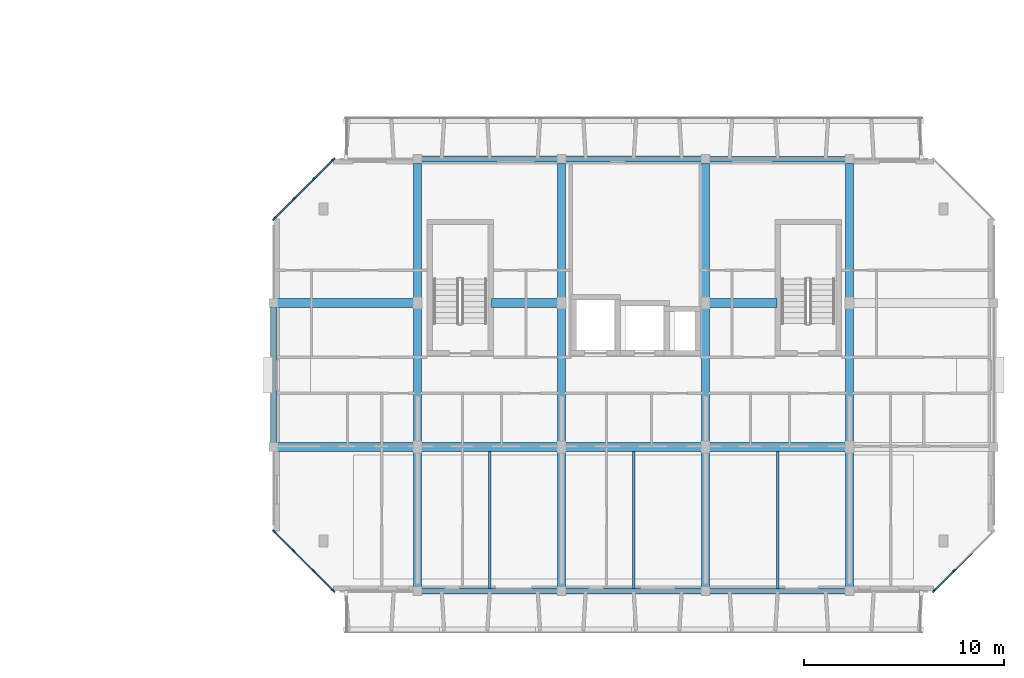
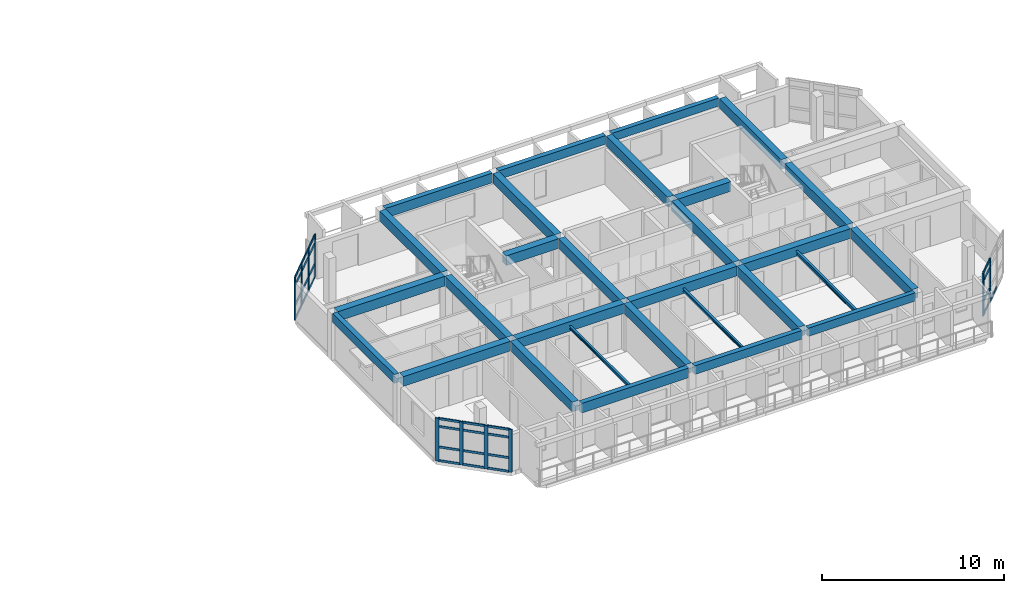
# One storey, part 10 of 43: 39 members, 29 beams, 3 elements without a shape of their own.
"""IFC4 building model written with IfcOpenShell, lengths in metres."""

from ifc_helpers import new_model, si_unit, direction, frame, origin, origin_2d, place, context, subcontext, project, spatial, rectangle, i_section, extrude, material, layer, layer_set, material_profile, profile_set, type_object, element, aggregate, save


model = new_model("IFC4")

# Units and contexts
model_context = context("Model", 3, precision=1e-05, world=origin(), true_north=direction((0.0, 1.0)))
body_context = subcontext(model_context, "Body", "Model", "MODEL_VIEW")
ifc_project = project(units=[si_unit("LENGTHUNIT", "METRE"), si_unit("AREAUNIT", "SQUARE_METRE"), si_unit("VOLUMEUNIT", "CUBIC_METRE"), si_unit("PLANEANGLEUNIT", "RADIAN"), si_unit("MASSUNIT", "GRAM", prefix="KILO")], contexts=[model_context])

# Site, building, storey
site_placement = place(None, origin())
site = spatial("IfcSite", under=ifc_project, at=site_placement, CompositionType="ELEMENT")
building_placement = place(site_placement, origin())
building = spatial("IfcBuilding", under=site, at=building_placement, Name="Ochrevale Crest", CompositionType="ELEMENT")
storey_placement = place(building_placement, frame((0.0, 0.0, 30.75)))
storey = spatial("IfcBuildingStorey", under=building, at=storey_placement, Name="L09", CompositionType="ELEMENT", Elevation=30.75)

# Beams
ifc_material_1 = material(Name="Precast concrete C50/60", Category="concrete")
ifc_material_profile_1 = material_profile(ifc_material_1, rectangle(XDim=0.39990234375, YDim=0.64990234375, at=origin_2d()), Name="PC 400x650")
ifc_profile_set_1 = profile_set([ifc_material_profile_1], Name="Precast concrete C50/60")
beam_type_1 = type_object("IfcBeamType", Name="BM-PC400x650", PredefinedType="BEAM", material=ifc_profile_set_1)
for number, where, z_axis, x_axis, name in (
    (1, (136.800048828125, 14.60498046875, 2.824951171875), (0.0, 1.0, 0.0), (-1.0, 0.0, 0.0), "Block C L09 N-S beam X=136.8"),
    (2, (136.800048828125, 21.804931640625, 2.824951171875), (0.0, 1.0, 0.0), (-1.0, 0.0, 0.0), "Block C L09 N-S beam X=136.8"),
    (3, (136.800048828125, 29.0048828125, 2.824951171875), (0.0, 1.0, 0.0), (-1.0, 0.0, 0.0), "Block C L09 N-S beam X=136.8"),
    (4, (144.0, 14.60498046875, 2.824951171875), (0.0, 1.0, 0.0), (-1.0, 0.0, 0.0), "Block C L09 N-S beam X=144.0"),
    (5, (144.0, 21.804931640625, 2.824951171875), (0.0, 1.0, 0.0), (-1.0, 0.0, 0.0), "Block C L09 N-S beam X=144.0"),
    (6, (144.0, 29.0048828125, 2.824951171875), (0.0, 1.0, 0.0), (-1.0, 0.0, 0.0), "Block C L09 N-S beam X=144.0"),
    (7, (151.199951171875, 14.60498046875, 2.824951171875), (0.0, 1.0, 0.0), (-1.0, 0.0, 0.0), "Block C L09 N-S beam X=151.2"),
    (8, (151.199951171875, 21.804931640625, 2.824951171875), (0.0, 1.0, 0.0), (-1.0, 0.0, 0.0), "Block C L09 N-S beam X=151.2"),
    (9, (151.199951171875, 29.0048828125, 2.824951171875), (0.0, 1.0, 0.0), (-1.0, 0.0, 0.0), "Block C L09 N-S beam X=151.2"),
    (10, (158.39990234375, 14.60498046875, 2.824951171875), (0.0, 1.0, 0.0), (-1.0, 0.0, 0.0), "Block C L09 N-S beam X=158.4"),
    (11, (158.39990234375, 21.804931640625, 2.824951171875), (0.0, 1.0, 0.0), (-1.0, 0.0, 0.0), "Block C L09 N-S beam X=158.4"),
    (12, (158.39990234375, 29.0048828125, 2.824951171875), (0.0, 1.0, 0.0), (-1.0, 0.0, 0.0), "Block C L09 N-S beam X=158.4"),
):
    element("IfcBeam", number, at=place(storey_placement, frame(where, z_axis=z_axis, x_axis=x_axis)), inside=storey, type_object=beam_type_1, Name=name, PredefinedType="BEAM", context=body_context, shape_type="SweptSolid", body=[
        extrude(rectangle(XDim=0.39990234375, YDim=0.64990234375, at=origin_2d()), origin(), (0.0, 0.0, 1.0), 6.7900390625),
    ])
ifc_material_2 = material(Name="Concrete C50/60", Category="concrete")
ifc_material_profile_2 = material_profile(ifc_material_2, rectangle(XDim=0.449951171875, YDim=0.64990234375, at=origin_2d()), Name="RC 450x650")
ifc_profile_set_2 = profile_set([ifc_material_profile_2], Name="Concrete C50/60")
beam_type_2 = type_object("IfcBeamType", Name="BM-PG450x650", PredefinedType="USERDEFINED", material=ifc_profile_set_2)
for number, where, z_axis, x_axis, name in (
    (13, (129.800048828125, 21.60009765625, 2.824951171875), (1.0, 0.0, 0.0), (0.0, 1.0, 0.0), "Block C L09 E-W beam Y=21.6"),
    (14, (137.0, 21.60009765625, 2.824951171875), (1.0, 0.0, 0.0), (0.0, 1.0, 0.0), "Block C L09 E-W beam Y=21.6"),
    (15, (144.199951171875, 21.60009765625, 2.824951171875), (1.0, 0.0, 0.0), (0.0, 1.0, 0.0), "Block C L09 E-W beam Y=21.6"),
    (16, (151.39990234375, 21.60009765625, 2.824951171875), (1.0, 0.0, 0.0), (0.0, 1.0, 0.0), "Block C L09 E-W beam Y=21.6"),
    (17, (129.800048828125, 28.800048828125, 2.824951171875), (1.0, 0.0, 0.0), (0.0, 1.0, 0.0), "Block C L09 E-W beam Y=28.8"),
):
    element("IfcBeam", number, at=place(storey_placement, frame(where, z_axis=z_axis, x_axis=x_axis)), inside=storey, type_object=beam_type_2, Name=name, ObjectType="GIRDER", PredefinedType="USERDEFINED", context=body_context, shape_type="SweptSolid", body=[
        extrude(rectangle(XDim=0.449951171875, YDim=0.64990234375, at=origin_2d()), origin(), (0.0, 0.0, 1.0), 6.800048828125),
    ])
beam_1_placement = place(storey_placement, frame((140.489990234375, 28.800048828125, 2.824951171875), z_axis=(1.0, 0.0, 0.0), x_axis=(0.0, 1.0, 0.0)))
element("IfcBeam", 18, at=beam_1_placement, inside=storey, type_object=beam_type_2, Name="Block C L09 E-W beam Y=28.8", ObjectType="GIRDER", PredefinedType="USERDEFINED", context=body_context, shape_type="SweptSolid", body=[
    extrude(rectangle(XDim=0.449951171875, YDim=0.64990234375, at=origin_2d()), origin(), (0.0, 0.0, 1.0), 3.31005859375),
])
beam_2_placement = place(storey_placement, frame((151.39990234375, 28.800048828125, 2.824951171875), z_axis=(1.0, 0.0, 0.0), x_axis=(0.0, 1.0, 0.0)))
element("IfcBeam", 19, at=beam_2_placement, inside=storey, type_object=beam_type_2, Name="Block C L09 E-W beam Y=28.8", ObjectType="GIRDER", PredefinedType="USERDEFINED", context=body_context, shape_type="SweptSolid", body=[
    extrude(rectangle(XDim=0.449951171875, YDim=0.64990234375, at=origin_2d()), origin(), (0.0, 0.0, 1.0), 3.360107421875),
])
ifc_material_3 = material(Name="Precast concrete C40/50", Category="concrete")
ifc_material_profile_3 = material_profile(ifc_material_3, rectangle(XDim=0.280029296875, YDim=0.550048828125, at=origin_2d()), Name="PC 280x550")
ifc_profile_set_3 = profile_set([ifc_material_profile_3], Name="Precast concrete C40/50")
beam_type_3 = type_object("IfcBeamType", Name="BM-SP280x550", PredefinedType="SPANDREL", material=ifc_profile_set_3)
for number, where, z_axis, x_axis, name in (
    (20, (151.39990234375, 14.39990234375, 2.875), (1.0, 0.0, 0.0), (0.0, 1.0, 0.0), "Block C L09 E-W beam Y=14.4"),
    (21, (151.39990234375, 36.0, 2.875), (1.0, 0.0, 0.0), (0.0, 1.0, 0.0), "Block C L09 E-W beam Y=36.0"),
):
    element("IfcBeam", number, at=place(storey_placement, frame(where, z_axis=z_axis, x_axis=x_axis)), inside=storey, type_object=beam_type_3, Name=name, PredefinedType="SPANDREL", context=body_context, shape_type="SweptSolid", body=[
        extrude(rectangle(XDim=0.280029296875, YDim=0.550048828125, at=origin_2d()), origin(), (0.0, 0.0, 1.0), 6.800048828125),
    ])
ifc_material_profile_4 = material_profile(ifc_material_3, rectangle(XDim=0.300048828125, YDim=0.580078125, at=origin_2d()), Name="PC 300x580")
ifc_profile_set_4 = profile_set([ifc_material_profile_4], Name="Precast concrete C40/50")
beam_type_4 = type_object("IfcBeamType", Name="BM-SP300x580", PredefinedType="SPANDREL", material=ifc_profile_set_4)
for number, where, z_axis, x_axis, name in (
    (22, (144.199951171875, 14.39990234375, 2.860107421875), (1.0, 0.0, 0.0), (0.0, 1.0, 0.0), "Block C L09 E-W beam Y=14.4"),
    (23, (144.199951171875, 36.0, 2.860107421875), (1.0, 0.0, 0.0), (0.0, 1.0, 0.0), "Block C L09 E-W beam Y=36.0"),
):
    element("IfcBeam", number, at=place(storey_placement, frame(where, z_axis=z_axis, x_axis=x_axis)), inside=storey, type_object=beam_type_4, Name=name, PredefinedType="SPANDREL", context=body_context, shape_type="SweptSolid", body=[
        extrude(rectangle(XDim=0.300048828125, YDim=0.580078125, at=origin_2d()), origin(), (0.0, 0.0, 1.0), 6.800048828125),
    ])
ifc_material_profile_5 = material_profile(ifc_material_3, rectangle(XDim=0.300048828125, YDim=0.60009765625, at=origin_2d()), Name="PC 300x600")
ifc_profile_set_5 = profile_set([ifc_material_profile_5], Name="Precast concrete C40/50")
beam_type_5 = type_object("IfcBeamType", Name="BM-SP300x600", PredefinedType="SPANDREL", material=ifc_profile_set_5)
beam_3_placement = place(storey_placement, frame((129.60009765625, 21.804931640625, 2.85009765625), z_axis=(0.0, 1.0, 0.0), x_axis=(-1.0, 0.0, 0.0)))
element("IfcBeam", 24, at=beam_3_placement, inside=storey, type_object=beam_type_5, Name="Block C L09 N-S beam X=129.6", PredefinedType="SPANDREL", context=body_context, shape_type="SweptSolid", body=[
    extrude(rectangle(XDim=0.300048828125, YDim=0.60009765625, at=origin_2d()), origin(), (0.0, 0.0, 1.0), 6.7900390625),
])
ifc_material_profile_6 = material_profile(ifc_material_3, rectangle(XDim=0.300048828125, YDim=0.64990234375, at=origin_2d()), Name="PC 300x650")
ifc_profile_set_6 = profile_set([ifc_material_profile_6], Name="Precast concrete C40/50")
beam_type_6 = type_object("IfcBeamType", Name="BM-SP300x650", PredefinedType="SPANDREL", material=ifc_profile_set_6)
for number, where, z_axis, x_axis, name in (
    (25, (137.0, 14.39990234375, 2.824951171875), (1.0, 0.0, 0.0), (0.0, 1.0, 0.0), "Block C L09 E-W beam Y=14.4"),
    (26, (137.0, 36.0, 2.824951171875), (1.0, 0.0, 0.0), (0.0, 1.0, 0.0), "Block C L09 E-W beam Y=36.0"),
):
    element("IfcBeam", number, at=place(storey_placement, frame(where, z_axis=z_axis, x_axis=x_axis)), inside=storey, type_object=beam_type_6, Name=name, PredefinedType="SPANDREL", context=body_context, shape_type="SweptSolid", body=[
        extrude(rectangle(XDim=0.300048828125, YDim=0.64990234375, at=origin_2d()), origin(), (0.0, 0.0, 1.0), 6.800048828125),
    ])
ifc_material_4 = material(Name="Steel S355", Category="steel")
ifc_material_profile_7 = material_profile(ifc_material_4, i_section(OverallWidth=0.13330078125, OverallDepth=0.203125, WebThickness=0.005859375, FlangeThickness=0.0078125, FilletRadius=0.0087890625, at=origin_2d()), Name="200UB25.4")
ifc_profile_set_7 = profile_set([ifc_material_profile_7], Name="Steel S355")
beam_type_7 = type_object("IfcBeamType", Name="BM-UB200A", PredefinedType="JOIST", material=ifc_profile_set_7)
beam_4_placement = place(storey_placement, frame((140.39990234375, 14.5380859375, 2.7734375), z_axis=(0.0, 1.0, 0.0), x_axis=(-1.0, 0.0, 0.0)))
element("IfcBeam", 27, at=beam_4_placement, inside=storey, type_object=beam_type_7, Name="Block C L09 composite plank trimmer beam 2", PredefinedType="JOIST", context=body_context, shape_type="SweptSolid", body=[
    extrude(i_section(OverallWidth=0.13330078125, OverallDepth=0.203125, WebThickness=0.005859375, FlangeThickness=0.0078125, FilletRadius=0.0087890625, at=origin_2d()), origin(), (0.0, 0.0, 1.0), 6.848876953125),
])
ifc_material_profile_8 = material_profile(ifc_material_4, i_section(OverallWidth=0.134033203125, OverallDepth=0.20703125, WebThickness=0.00634765625, FlangeThickness=0.009521484375, FilletRadius=0.0087890625, at=origin_2d()), Name="200UB29.8")
ifc_profile_set_8 = profile_set([ifc_material_profile_8], Name="Steel S355")
beam_type_8 = type_object("IfcBeamType", Name="BM-UB200B", PredefinedType="JOIST", material=ifc_profile_set_8)
beam_5_placement = place(storey_placement, frame((147.60009765625, 14.5380859375, 2.771484375), z_axis=(0.0, 1.0, 0.0), x_axis=(-1.0, 0.0, 0.0)))
element("IfcBeam", 28, at=beam_5_placement, inside=storey, type_object=beam_type_8, Name="Block C L09 composite plank trimmer beam 3", PredefinedType="JOIST", context=body_context, shape_type="SweptSolid", body=[
    extrude(i_section(OverallWidth=0.134033203125, OverallDepth=0.20703125, WebThickness=0.00634765625, FlangeThickness=0.009521484375, FilletRadius=0.0087890625, at=origin_2d()), origin(), (0.0, 0.0, 1.0), 6.848876953125),
])
ifc_material_profile_9 = material_profile(ifc_material_4, i_section(OverallWidth=0.14599609375, OverallDepth=0.251708984375, WebThickness=0.006103515625, FlangeThickness=0.008544921875, FilletRadius=0.0087890625, at=origin_2d()), Name="250UB31.4")
ifc_profile_set_9 = profile_set([ifc_material_profile_9], Name="Steel S355")
beam_type_9 = type_object("IfcBeamType", Name="BM-UB250A", PredefinedType="JOIST", material=ifc_profile_set_9)
beam_6_placement = place(storey_placement, frame((154.800048828125, 14.528076171875, 2.749267578125), z_axis=(0.0, 1.0, 0.0), x_axis=(-1.0, 0.0, 0.0)))
element("IfcBeam", 29, at=beam_6_placement, inside=storey, type_object=beam_type_9, Name="Block C L09 composite plank trimmer beam 4", PredefinedType="JOIST", context=body_context, shape_type="SweptSolid", body=[
    extrude(i_section(OverallWidth=0.14599609375, OverallDepth=0.251708984375, WebThickness=0.006103515625, FlangeThickness=0.008544921875, FilletRadius=0.0087890625, at=origin_2d()), origin(), (0.0, 0.0, 1.0), 6.85888671875),
])

# Curtain wall, members
ifc_material_5 = material(Name="Anodised aluminium 6063-T5", Category="aluminium")
ifc_layer_1 = layer(ifc_material_5, 0.14990234375)
ifc_layer_set_1 = layer_set([ifc_layer_1], Name="Anodised aluminium 6063-T5")
curtain_wall_type_1 = type_object("IfcCurtainWallType", Name="CW-WG-280x285", PredefinedType="NOTDEFINED", material=ifc_layer_set_1)
curtain_wall_1_placement = place(storey_placement, origin())
curtain_wall_1 = element("IfcCurtainWall", 30, at=curtain_wall_1_placement, inside=storey, type_object=curtain_wall_type_1, Name="Block C L09 chamfered corner wintergarden curtain wall 2", PredefinedType="NOTDEFINED")
ifc_material_profile_10 = material_profile(ifc_material_5, rectangle(XDim=0.074951171875, YDim=0.219970703125, at=origin_2d()), Name="ALU 75x220")
ifc_profile_set_10 = profile_set([ifc_material_profile_10], Name="Anodised aluminium 6063-T5")
member_type_1 = type_object("IfcMemberType", Name="CW-MUL-75x220", PredefinedType="MULLION", material=ifc_profile_set_10)
member_1_placement = place(storey_placement, frame((162.62646484375, 14.426513671875, 0.0), z_axis=(0.0, 0.0, 1.0), x_axis=(-0.707106781187, 0.707106781187, 0.0)))
member_1 = element("IfcMember", 31, at=member_1_placement, type_object=member_type_1, Name="CW16 mullion 1", PredefinedType="MULLION", context=body_context, shape_type="SweptSolid", body=[
    extrude(rectangle(XDim=0.074951171875, YDim=0.219970703125, at=origin_2d()), origin(), (0.0, 0.0, 1.0), 2.875),
])
member_2_placement = place(storey_placement, frame((163.60009765625, 15.39990234375, 0.0), z_axis=(0.0, 0.0, 1.0), x_axis=(-0.707106781187, 0.707106781187, 0.0)))
member_2 = element("IfcMember", 32, at=member_2_placement, type_object=member_type_1, Name="CW16 mullion 2", PredefinedType="MULLION", context=body_context, shape_type="SweptSolid", body=[
    extrude(rectangle(XDim=0.074951171875, YDim=0.219970703125, at=origin_2d()), origin(), (0.0, 0.0, 1.0), 2.875),
])

ifc_layer_2 = layer(ifc_material_5, 0.14990234375)
ifc_layer_set_2 = layer_set([ifc_layer_2], Name="Anodised aluminium 6063-T5")
curtain_wall_type_2 = type_object("IfcCurtainWallType", Name="CW-WG-240x285", PredefinedType="NOTDEFINED", material=ifc_layer_set_2)
curtain_wall_2_placement = place(storey_placement, origin())
curtain_wall_2 = element("IfcCurtainWall", 33, at=curtain_wall_2_placement, inside=storey, type_object=curtain_wall_type_2, Name="Block C L09 chamfered corner wintergarden curtain wall 6", PredefinedType="NOTDEFINED")
member_3_placement = place(storey_placement, frame((132.573486328125, 35.973388671875, 0.0), z_axis=(0.0, 0.0, 1.0), x_axis=(0.707106781187, -0.707106781187, 0.0)))
member_3 = element("IfcMember", 34, at=member_3_placement, type_object=member_type_1, Name="CW15 mullion 1", PredefinedType="MULLION", context=body_context, shape_type="SweptSolid", body=[
    extrude(rectangle(XDim=0.074951171875, YDim=0.219970703125, at=origin_2d()), origin(), (0.0, 0.0, 1.0), 2.875),
])
member_4_placement = place(storey_placement, frame((131.60009765625, 35.0, 0.0), z_axis=(0.0, 0.0, 1.0), x_axis=(0.707106781187, -0.707106781187, 0.0)))
member_4 = element("IfcMember", 35, at=member_4_placement, type_object=member_type_1, Name="CW15 mullion 2", PredefinedType="MULLION", context=body_context, shape_type="SweptSolid", body=[
    extrude(rectangle(XDim=0.074951171875, YDim=0.219970703125, at=origin_2d()), origin(), (0.0, 0.0, 1.0), 2.875),
])
member_5_placement = place(storey_placement, frame((130.60009765625, 34.0, 0.0), z_axis=(0.0, 0.0, 1.0), x_axis=(0.707106781187, -0.707106781187, 0.0)))
member_5 = element("IfcMember", 36, at=member_5_placement, type_object=member_type_1, Name="CW15 mullion 3", PredefinedType="MULLION", context=body_context, shape_type="SweptSolid", body=[
    extrude(rectangle(XDim=0.074951171875, YDim=0.219970703125, at=origin_2d()), origin(), (0.0, 0.0, 1.0), 2.875),
])
member_6_placement = place(storey_placement, frame((129.62646484375, 33.026611328125, 0.0), z_axis=(0.0, 0.0, 1.0), x_axis=(0.707106781187, -0.707106781187, 0.0)))
member_6 = element("IfcMember", 37, at=member_6_placement, type_object=member_type_1, Name="CW15 mullion 4", PredefinedType="MULLION", context=body_context, shape_type="SweptSolid", body=[
    extrude(rectangle(XDim=0.074951171875, YDim=0.219970703125, at=origin_2d()), origin(), (0.0, 0.0, 1.0), 2.875),
])

ifc_layer_3 = layer(ifc_material_5, 0.14990234375)
ifc_layer_set_3 = layer_set([ifc_layer_3], Name="Anodised aluminium 6063-T5")
curtain_wall_type_3 = type_object("IfcCurtainWallType", Name="CW-WG-320x285", PredefinedType="NOTDEFINED", material=ifc_layer_set_3)
curtain_wall_3_placement = place(storey_placement, origin())
curtain_wall_3 = element("IfcCurtainWall", 38, at=curtain_wall_3_placement, inside=storey, type_object=curtain_wall_type_3, Name="Block C L09 chamfered corner wintergarden curtain wall 8", PredefinedType="NOTDEFINED")
member_7_placement = place(storey_placement, frame((129.62646484375, 17.37353515625, 0.0), z_axis=(0.0, 0.0, 1.0), x_axis=(0.707106781187, 0.707106781187, 0.0)))
member_7 = element("IfcMember", 39, at=member_7_placement, type_object=member_type_1, Name="CW17 mullion 1", PredefinedType="MULLION", context=body_context, shape_type="SweptSolid", body=[
    extrude(rectangle(XDim=0.074951171875, YDim=0.219970703125, at=origin_2d()), origin(), (0.0, 0.0, 1.0), 2.875),
])
member_8_placement = place(storey_placement, frame((130.60009765625, 16.39990234375, 0.0), z_axis=(0.0, 0.0, 1.0), x_axis=(0.707106781187, 0.707106781187, 0.0)))
member_8 = element("IfcMember", 40, at=member_8_placement, type_object=member_type_1, Name="CW17 mullion 2", PredefinedType="MULLION", context=body_context, shape_type="SweptSolid", body=[
    extrude(rectangle(XDim=0.074951171875, YDim=0.219970703125, at=origin_2d()), origin(), (0.0, 0.0, 1.0), 2.875),
])
member_9_placement = place(storey_placement, frame((131.60009765625, 15.39990234375, 0.0), z_axis=(0.0, 0.0, 1.0), x_axis=(0.707106781187, 0.707106781187, 0.0)))
member_9 = element("IfcMember", 41, at=member_9_placement, type_object=member_type_1, Name="CW17 mullion 3", PredefinedType="MULLION", context=body_context, shape_type="SweptSolid", body=[
    extrude(rectangle(XDim=0.074951171875, YDim=0.219970703125, at=origin_2d()), origin(), (0.0, 0.0, 1.0), 2.875),
])
member_10_placement = place(storey_placement, frame((132.573486328125, 14.426513671875, 0.0), z_axis=(0.0, 0.0, 1.0), x_axis=(0.707106781187, 0.707106781187, 0.0)))
member_10 = element("IfcMember", 42, at=member_10_placement, type_object=member_type_1, Name="CW17 mullion 4", PredefinedType="MULLION", context=body_context, shape_type="SweptSolid", body=[
    extrude(rectangle(XDim=0.074951171875, YDim=0.219970703125, at=origin_2d()), origin(), (0.0, 0.0, 1.0), 2.875),
])

# Member
ifc_material_profile_11 = material_profile(ifc_material_5, rectangle(XDim=0.06005859375, YDim=0.14990234375, at=origin_2d()), Name="ALU 60x150")
ifc_profile_set_11 = profile_set([ifc_material_profile_11], Name="Anodised aluminium 6063-T5")
member_type_2 = type_object("IfcMemberType", Name="CW-TRN-60x150", PredefinedType="USERDEFINED", material=ifc_profile_set_11)
member_11_placement = place(storey_placement, frame((162.653076171875, 14.453125, 0.030029296875), z_axis=(0.707106781187, 0.707106781187, 0.0), x_axis=(-0.707106781187, 0.707106781187, 0.0)))
member_11 = element("IfcMember", 43, at=member_11_placement, type_object=member_type_2, Name="CW16 transom 1.1", ObjectType="TRANSOM", PredefinedType="USERDEFINED", context=body_context, shape_type="SweptSolid", body=[
    extrude(rectangle(XDim=0.06005859375, YDim=0.14990234375, at=origin_2d()), origin(), (0.0, 0.0, 1.0), 1.3017578125),
])

member_12_placement = place(storey_placement, frame((162.653076171875, 14.453125, 0.949951171875), z_axis=(0.707106781187, 0.707106781187, 0.0), x_axis=(-0.707106781187, 0.707106781187, 0.0)))
member_12 = element("IfcMember", 44, at=member_12_placement, type_object=member_type_2, Name="CW16 transom 1.2", ObjectType="TRANSOM", PredefinedType="USERDEFINED", context=body_context, shape_type="SweptSolid", body=[
    extrude(rectangle(XDim=0.06005859375, YDim=0.14990234375, at=origin_2d()), origin(), (0.0, 0.0, 1.0), 1.3017578125),
])

member_13_placement = place(storey_placement, frame((162.653076171875, 14.453125, 2.324951171875), z_axis=(0.707106781187, 0.707106781187, 0.0), x_axis=(-0.707106781187, 0.707106781187, 0.0)))
member_13 = element("IfcMember", 45, at=member_13_placement, type_object=member_type_2, Name="CW16 transom 1.3", ObjectType="TRANSOM", PredefinedType="USERDEFINED", context=body_context, shape_type="SweptSolid", body=[
    extrude(rectangle(XDim=0.06005859375, YDim=0.14990234375, at=origin_2d()), origin(), (0.0, 0.0, 1.0), 1.3017578125),
])

member_14_placement = place(storey_placement, frame((162.653076171875, 14.453125, 2.844970703125), z_axis=(0.707106781187, 0.707106781187, 0.0), x_axis=(-0.707106781187, 0.707106781187, 0.0)))
member_14 = element("IfcMember", 46, at=member_14_placement, type_object=member_type_2, Name="CW16 transom 1.4", ObjectType="TRANSOM", PredefinedType="USERDEFINED", context=body_context, shape_type="SweptSolid", body=[
    extrude(rectangle(XDim=0.06005859375, YDim=0.14990234375, at=origin_2d()), origin(), (0.0, 0.0, 1.0), 1.3017578125),
])

member_15_placement = place(storey_placement, frame((163.62646484375, 15.426513671875, 0.030029296875), z_axis=(0.707106781187, 0.707106781187, 0.0), x_axis=(-0.707106781187, 0.707106781187, 0.0)))
member_15 = element("IfcMember", 47, at=member_15_placement, type_object=member_type_2, Name="CW16 transom 2.1", ObjectType="TRANSOM", PredefinedType="USERDEFINED", context=body_context, shape_type="SweptSolid", body=[
    extrude(rectangle(XDim=0.06005859375, YDim=0.14990234375, at=origin_2d()), origin(), (0.0, 0.0, 1.0), 1.33935546875),
])

aggregate(curtain_wall_1, [member_1, member_2, member_11, member_12, member_13, member_14, member_15])

member_16_placement = place(storey_placement, frame((132.546875, 35.947021484375, 0.030029296875), z_axis=(-0.707106781187, -0.707106781187, 0.0), x_axis=(0.707106781187, -0.707106781187, 0.0)))
member_16 = element("IfcMember", 48, at=member_16_placement, type_object=member_type_2, Name="CW15 transom 1.1", ObjectType="TRANSOM", PredefinedType="USERDEFINED", context=body_context, shape_type="SweptSolid", body=[
    extrude(rectangle(XDim=0.06005859375, YDim=0.14990234375, at=origin_2d()), origin(), (0.0, 0.0, 1.0), 1.3017578125),
])

member_17_placement = place(storey_placement, frame((132.546875, 35.947021484375, 0.949951171875), z_axis=(-0.707106781187, -0.707106781187, 0.0), x_axis=(0.707106781187, -0.707106781187, 0.0)))
member_17 = element("IfcMember", 49, at=member_17_placement, type_object=member_type_2, Name="CW15 transom 1.2", ObjectType="TRANSOM", PredefinedType="USERDEFINED", context=body_context, shape_type="SweptSolid", body=[
    extrude(rectangle(XDim=0.06005859375, YDim=0.14990234375, at=origin_2d()), origin(), (0.0, 0.0, 1.0), 1.3017578125),
])

member_18_placement = place(storey_placement, frame((132.546875, 35.947021484375, 2.324951171875), z_axis=(-0.707106781187, -0.707106781187, 0.0), x_axis=(0.707106781187, -0.707106781187, 0.0)))
member_18 = element("IfcMember", 50, at=member_18_placement, type_object=member_type_2, Name="CW15 transom 1.3", ObjectType="TRANSOM", PredefinedType="USERDEFINED", context=body_context, shape_type="SweptSolid", body=[
    extrude(rectangle(XDim=0.06005859375, YDim=0.14990234375, at=origin_2d()), origin(), (0.0, 0.0, 1.0), 1.3017578125),
])

member_19_placement = place(storey_placement, frame((132.546875, 35.947021484375, 2.844970703125), z_axis=(-0.707106781187, -0.707106781187, 0.0), x_axis=(0.707106781187, -0.707106781187, 0.0)))
member_19 = element("IfcMember", 51, at=member_19_placement, type_object=member_type_2, Name="CW15 transom 1.4", ObjectType="TRANSOM", PredefinedType="USERDEFINED", context=body_context, shape_type="SweptSolid", body=[
    extrude(rectangle(XDim=0.06005859375, YDim=0.14990234375, at=origin_2d()), origin(), (0.0, 0.0, 1.0), 1.3017578125),
])

member_20_placement = place(storey_placement, frame((131.573486328125, 34.973388671875, 0.030029296875), z_axis=(-0.707197932559, -0.707015618062, 0.0), x_axis=(0.707015618062, -0.707197932559, 0.0)))
member_20 = element("IfcMember", 52, at=member_20_placement, type_object=member_type_2, Name="CW15 transom 2.1", ObjectType="TRANSOM", PredefinedType="USERDEFINED", context=body_context, shape_type="SweptSolid", body=[
    extrude(rectangle(XDim=0.06005859375, YDim=0.14990234375, at=origin_2d()), origin(), (0.0, 0.0, 1.0), 1.339111328125),
])

member_21_placement = place(storey_placement, frame((131.573486328125, 34.973388671875, 0.949951171875), z_axis=(-0.707197932559, -0.707015618062, 0.0), x_axis=(0.707015618062, -0.707197932559, 0.0)))
member_21 = element("IfcMember", 53, at=member_21_placement, type_object=member_type_2, Name="CW15 transom 2.2", ObjectType="TRANSOM", PredefinedType="USERDEFINED", context=body_context, shape_type="SweptSolid", body=[
    extrude(rectangle(XDim=0.06005859375, YDim=0.14990234375, at=origin_2d()), origin(), (0.0, 0.0, 1.0), 1.339111328125),
])

member_22_placement = place(storey_placement, frame((131.573486328125, 34.973388671875, 2.324951171875), z_axis=(-0.707197932559, -0.707015618062, 0.0), x_axis=(0.707015618062, -0.707197932559, 0.0)))
member_22 = element("IfcMember", 54, at=member_22_placement, type_object=member_type_2, Name="CW15 transom 2.3", ObjectType="TRANSOM", PredefinedType="USERDEFINED", context=body_context, shape_type="SweptSolid", body=[
    extrude(rectangle(XDim=0.06005859375, YDim=0.14990234375, at=origin_2d()), origin(), (0.0, 0.0, 1.0), 1.339111328125),
])

member_23_placement = place(storey_placement, frame((131.573486328125, 34.973388671875, 2.844970703125), z_axis=(-0.707197932559, -0.707015618062, 0.0), x_axis=(0.707015618062, -0.707197932559, 0.0)))
member_23 = element("IfcMember", 55, at=member_23_placement, type_object=member_type_2, Name="CW15 transom 2.4", ObjectType="TRANSOM", PredefinedType="USERDEFINED", context=body_context, shape_type="SweptSolid", body=[
    extrude(rectangle(XDim=0.06005859375, YDim=0.14990234375, at=origin_2d()), origin(), (0.0, 0.0, 1.0), 1.339111328125),
])

member_24_placement = place(storey_placement, frame((130.573486328125, 33.973388671875, 0.030029296875), z_axis=(-0.707106781187, -0.707106781187, 0.0), x_axis=(0.707106781187, -0.707106781187, 0.0)))
member_24 = element("IfcMember", 56, at=member_24_placement, type_object=member_type_2, Name="CW15 transom 3.1", ObjectType="TRANSOM", PredefinedType="USERDEFINED", context=body_context, shape_type="SweptSolid", body=[
    extrude(rectangle(XDim=0.06005859375, YDim=0.14990234375, at=origin_2d()), origin(), (0.0, 0.0, 1.0), 1.3017578125),
])

member_25_placement = place(storey_placement, frame((130.573486328125, 33.973388671875, 0.949951171875), z_axis=(-0.707106781187, -0.707106781187, 0.0), x_axis=(0.707106781187, -0.707106781187, 0.0)))
member_25 = element("IfcMember", 57, at=member_25_placement, type_object=member_type_2, Name="CW15 transom 3.2", ObjectType="TRANSOM", PredefinedType="USERDEFINED", context=body_context, shape_type="SweptSolid", body=[
    extrude(rectangle(XDim=0.06005859375, YDim=0.14990234375, at=origin_2d()), origin(), (0.0, 0.0, 1.0), 1.3017578125),
])

member_26_placement = place(storey_placement, frame((130.573486328125, 33.973388671875, 2.324951171875), z_axis=(-0.707106781187, -0.707106781187, 0.0), x_axis=(0.707106781187, -0.707106781187, 0.0)))
member_26 = element("IfcMember", 58, at=member_26_placement, type_object=member_type_2, Name="CW15 transom 3.3", ObjectType="TRANSOM", PredefinedType="USERDEFINED", context=body_context, shape_type="SweptSolid", body=[
    extrude(rectangle(XDim=0.06005859375, YDim=0.14990234375, at=origin_2d()), origin(), (0.0, 0.0, 1.0), 1.3017578125),
])

member_27_placement = place(storey_placement, frame((130.573486328125, 33.973388671875, 2.844970703125), z_axis=(-0.707106781187, -0.707106781187, 0.0), x_axis=(0.707106781187, -0.707106781187, 0.0)))
member_27 = element("IfcMember", 59, at=member_27_placement, type_object=member_type_2, Name="CW15 transom 3.4", ObjectType="TRANSOM", PredefinedType="USERDEFINED", context=body_context, shape_type="SweptSolid", body=[
    extrude(rectangle(XDim=0.06005859375, YDim=0.14990234375, at=origin_2d()), origin(), (0.0, 0.0, 1.0), 1.3017578125),
])

aggregate(curtain_wall_2, [member_3, member_4, member_5, member_6, member_16, member_17, member_18, member_19, member_20, member_21, member_22, member_23, member_24, member_25, member_26, member_27])

member_28_placement = place(storey_placement, frame((129.653076171875, 17.346923828125, 0.030029296875), z_axis=(0.707106781187, -0.707106781187, 0.0), x_axis=(0.707106781187, 0.707106781187, 0.0)))
member_28 = element("IfcMember", 60, at=member_28_placement, type_object=member_type_2, Name="CW17 transom 1.1", ObjectType="TRANSOM", PredefinedType="USERDEFINED", context=body_context, shape_type="SweptSolid", body=[
    extrude(rectangle(XDim=0.06005859375, YDim=0.14990234375, at=origin_2d()), origin(), (0.0, 0.0, 1.0), 1.3017578125),
])

member_29_placement = place(storey_placement, frame((129.653076171875, 17.346923828125, 0.949951171875), z_axis=(0.707106781187, -0.707106781187, 0.0), x_axis=(0.707106781187, 0.707106781187, 0.0)))
member_29 = element("IfcMember", 61, at=member_29_placement, type_object=member_type_2, Name="CW17 transom 1.2", ObjectType="TRANSOM", PredefinedType="USERDEFINED", context=body_context, shape_type="SweptSolid", body=[
    extrude(rectangle(XDim=0.06005859375, YDim=0.14990234375, at=origin_2d()), origin(), (0.0, 0.0, 1.0), 1.3017578125),
])

member_30_placement = place(storey_placement, frame((129.653076171875, 17.346923828125, 2.324951171875), z_axis=(0.707106781187, -0.707106781187, 0.0), x_axis=(0.707106781187, 0.707106781187, 0.0)))
member_30 = element("IfcMember", 62, at=member_30_placement, type_object=member_type_2, Name="CW17 transom 1.3", ObjectType="TRANSOM", PredefinedType="USERDEFINED", context=body_context, shape_type="SweptSolid", body=[
    extrude(rectangle(XDim=0.06005859375, YDim=0.14990234375, at=origin_2d()), origin(), (0.0, 0.0, 1.0), 1.3017578125),
])

member_31_placement = place(storey_placement, frame((129.653076171875, 17.346923828125, 2.844970703125), z_axis=(0.707106781187, -0.707106781187, 0.0), x_axis=(0.707106781187, 0.707106781187, 0.0)))
member_31 = element("IfcMember", 63, at=member_31_placement, type_object=member_type_2, Name="CW17 transom 1.4", ObjectType="TRANSOM", PredefinedType="USERDEFINED", context=body_context, shape_type="SweptSolid", body=[
    extrude(rectangle(XDim=0.06005859375, YDim=0.14990234375, at=origin_2d()), origin(), (0.0, 0.0, 1.0), 1.3017578125),
])

member_32_placement = place(storey_placement, frame((130.62646484375, 16.37353515625, 0.030029296875), z_axis=(0.707106781187, -0.707106781187, 0.0), x_axis=(0.707106781187, 0.707106781187, 0.0)))
member_32 = element("IfcMember", 64, at=member_32_placement, type_object=member_type_2, Name="CW17 transom 2.1", ObjectType="TRANSOM", PredefinedType="USERDEFINED", context=body_context, shape_type="SweptSolid", body=[
    extrude(rectangle(XDim=0.06005859375, YDim=0.14990234375, at=origin_2d()), origin(), (0.0, 0.0, 1.0), 1.33935546875),
])

member_33_placement = place(storey_placement, frame((130.62646484375, 16.37353515625, 0.949951171875), z_axis=(0.707106781187, -0.707106781187, 0.0), x_axis=(0.707106781187, 0.707106781187, 0.0)))
member_33 = element("IfcMember", 65, at=member_33_placement, type_object=member_type_2, Name="CW17 transom 2.2", ObjectType="TRANSOM", PredefinedType="USERDEFINED", context=body_context, shape_type="SweptSolid", body=[
    extrude(rectangle(XDim=0.06005859375, YDim=0.14990234375, at=origin_2d()), origin(), (0.0, 0.0, 1.0), 1.33935546875),
])

member_34_placement = place(storey_placement, frame((130.62646484375, 16.37353515625, 2.324951171875), z_axis=(0.707106781187, -0.707106781187, 0.0), x_axis=(0.707106781187, 0.707106781187, 0.0)))
member_34 = element("IfcMember", 66, at=member_34_placement, type_object=member_type_2, Name="CW17 transom 2.3", ObjectType="TRANSOM", PredefinedType="USERDEFINED", context=body_context, shape_type="SweptSolid", body=[
    extrude(rectangle(XDim=0.06005859375, YDim=0.14990234375, at=origin_2d()), origin(), (0.0, 0.0, 1.0), 1.33935546875),
])

member_35_placement = place(storey_placement, frame((130.62646484375, 16.37353515625, 2.844970703125), z_axis=(0.707106781187, -0.707106781187, 0.0), x_axis=(0.707106781187, 0.707106781187, 0.0)))
member_35 = element("IfcMember", 67, at=member_35_placement, type_object=member_type_2, Name="CW17 transom 2.4", ObjectType="TRANSOM", PredefinedType="USERDEFINED", context=body_context, shape_type="SweptSolid", body=[
    extrude(rectangle(XDim=0.06005859375, YDim=0.14990234375, at=origin_2d()), origin(), (0.0, 0.0, 1.0), 1.33935546875),
])

member_36_placement = place(storey_placement, frame((131.62646484375, 15.37353515625, 0.030029296875), z_axis=(0.707106781187, -0.707106781187, 0.0), x_axis=(0.707106781187, 0.707106781187, 0.0)))
member_36 = element("IfcMember", 68, at=member_36_placement, type_object=member_type_2, Name="CW17 transom 3.1", ObjectType="TRANSOM", PredefinedType="USERDEFINED", context=body_context, shape_type="SweptSolid", body=[
    extrude(rectangle(XDim=0.06005859375, YDim=0.14990234375, at=origin_2d()), origin(), (0.0, 0.0, 1.0), 1.3017578125),
])

member_37_placement = place(storey_placement, frame((131.62646484375, 15.37353515625, 0.949951171875), z_axis=(0.707106781187, -0.707106781187, 0.0), x_axis=(0.707106781187, 0.707106781187, 0.0)))
member_37 = element("IfcMember", 69, at=member_37_placement, type_object=member_type_2, Name="CW17 transom 3.2", ObjectType="TRANSOM", PredefinedType="USERDEFINED", context=body_context, shape_type="SweptSolid", body=[
    extrude(rectangle(XDim=0.06005859375, YDim=0.14990234375, at=origin_2d()), origin(), (0.0, 0.0, 1.0), 1.3017578125),
])

member_38_placement = place(storey_placement, frame((131.62646484375, 15.37353515625, 2.324951171875), z_axis=(0.707106781187, -0.707106781187, 0.0), x_axis=(0.707106781187, 0.707106781187, 0.0)))
member_38 = element("IfcMember", 70, at=member_38_placement, type_object=member_type_2, Name="CW17 transom 3.3", ObjectType="TRANSOM", PredefinedType="USERDEFINED", context=body_context, shape_type="SweptSolid", body=[
    extrude(rectangle(XDim=0.06005859375, YDim=0.14990234375, at=origin_2d()), origin(), (0.0, 0.0, 1.0), 1.3017578125),
])

member_39_placement = place(storey_placement, frame((131.62646484375, 15.37353515625, 2.844970703125), z_axis=(0.707106781187, -0.707106781187, 0.0), x_axis=(0.707106781187, 0.707106781187, 0.0)))
member_39 = element("IfcMember", 71, at=member_39_placement, type_object=member_type_2, Name="CW17 transom 3.4", ObjectType="TRANSOM", PredefinedType="USERDEFINED", context=body_context, shape_type="SweptSolid", body=[
    extrude(rectangle(XDim=0.06005859375, YDim=0.14990234375, at=origin_2d()), origin(), (0.0, 0.0, 1.0), 1.3017578125),
])

aggregate(curtain_wall_3, [member_7, member_8, member_9, member_10, member_28, member_29, member_30, member_31, member_32, member_33, member_34, member_35, member_36, member_37, member_38, member_39])

save(model, "model.ifc")
